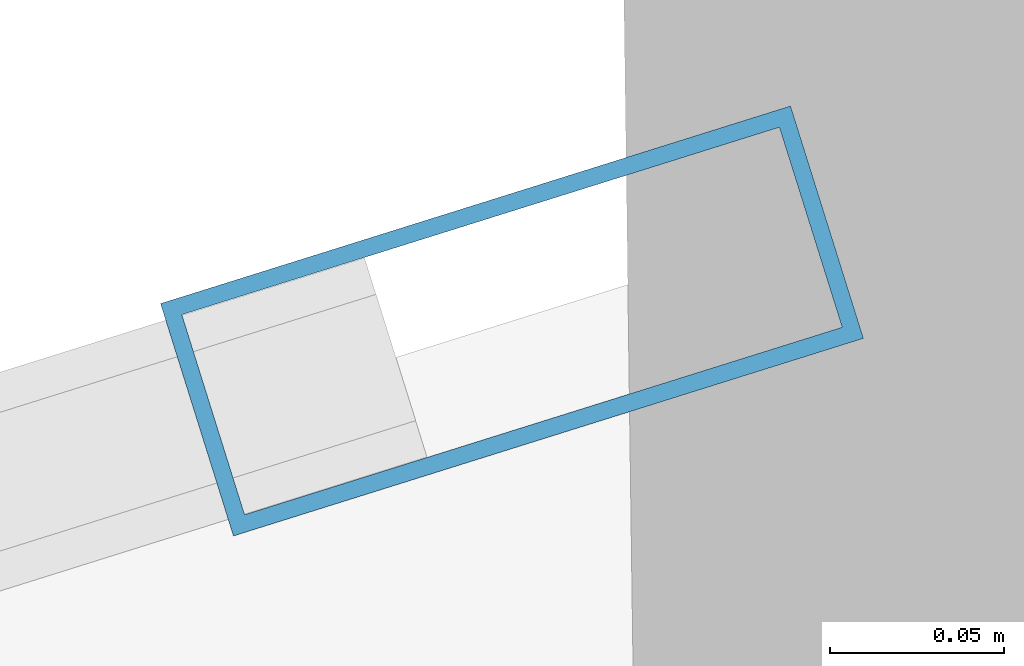
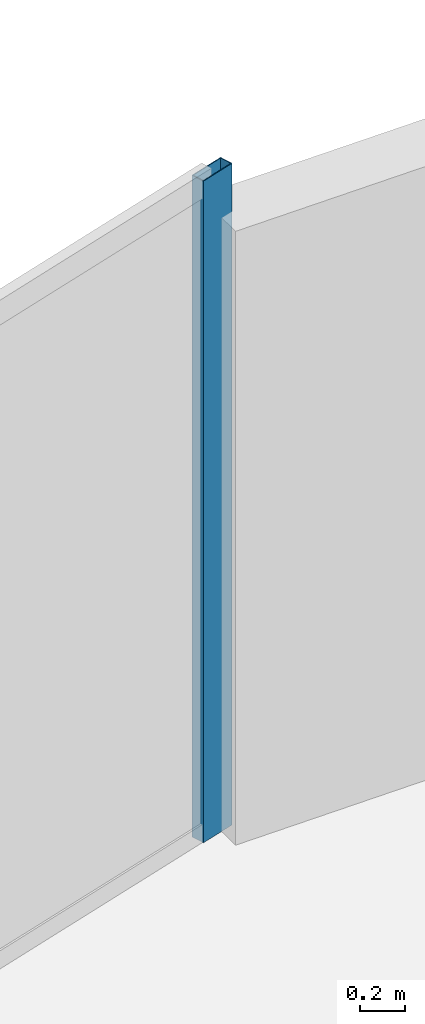
# One storey, part 13 of 22: 1 member, 1 element without a shape of its own.
"""IFC4 building model written with IfcOpenShell, lengths in metres."""

from ifc_helpers import new_model, si_unit, direction, frame, origin, origin_2d, place, context, subcontext, project, spatial, hollow_rectangle, extrude, source, transform, mapped, material, layer, layer_set, material_profile, profile_set, type_object, element, aggregate, save


model = new_model("IFC4")

# Units and contexts
model_context = context("Model", 3, precision=1e-05, world=origin(), true_north=direction((0.0, 1.0)))
body_context = subcontext(model_context, "Body", "Model", "MODEL_VIEW")
ifc_project = project(units=[si_unit("LENGTHUNIT", "METRE"), si_unit("AREAUNIT", "SQUARE_METRE"), si_unit("VOLUMEUNIT", "CUBIC_METRE"), si_unit("PLANEANGLEUNIT", "RADIAN"), si_unit("MASSUNIT", "GRAM", prefix="KILO")], contexts=[model_context])

# Site, building, storey
site_placement = place(None, origin())
site = spatial("IfcSite", under=ifc_project, at=site_placement, CompositionType="ELEMENT")
building_placement = place(site_placement, origin())
building = spatial("IfcBuilding", under=site, at=building_placement, Name="Solvirekh Grand Hotel", CompositionType="ELEMENT")
storey_placement = place(building_placement, frame((0.0, 0.0, 78.800048828125)))
storey = spatial("IfcBuildingStorey", under=building, at=storey_placement, Name="L19", CompositionType="ELEMENT", Elevation=78.800048828125)

# Curtain wall, member
ifc_material = material(Name="Anodized Bronze Aluminium 6063-T6", Category="aluminium")
ifc_layer = layer(ifc_material, 0.18994140625)
ifc_layer_set = layer_set([ifc_layer], Name="Anodized Bronze Aluminium 6063-T6")
curtain_wall_type = type_object("IfcCurtainWallType", Name="CW_Sys2_LowZoneFlushBronzeCW", PredefinedType="NOTDEFINED", material=ifc_layer_set)
curtain_wall_placement = place(storey_placement, origin())
curtain_wall = element("IfcCurtainWall", 1, at=curtain_wall_placement, inside=storey, type_object=curtain_wall_type, Name="L19 unitised bronze-glass curtain wall CW-L19-C08", PredefinedType="NOTDEFINED")
ifc_material_profile = material_profile(ifc_material, hollow_rectangle(XDim=0.070068359375, YDim=0.18994140625, WallThickness=0.0048828125, at=origin_2d()), Name="ALU RHS 190X70X5")
ifc_profile_set = profile_set([ifc_material_profile], Name="Anodized Bronze Aluminium 6063-T6")
member_type = type_object("IfcMemberType", Name="CWMullion_Sys2", PredefinedType="MULLION", material=ifc_profile_set)
shared_shape = source(origin(), body_context, "Body", "SweptSolid", [
    extrude(hollow_rectangle(XDim=0.070068359375, YDim=0.18994140625, WallThickness=0.0048828125, at=origin_2d()), origin(), (0.0, 0.0, 1.0), 3.599853515625),
])
member_placement = place(storey_placement, frame((-7.0244140625, 22.403564453125, 0.0), z_axis=(0.0, 0.0, 1.0), x_axis=(0.299279838596, -0.95416538305, 0.0)))
member = element("IfcMember", 2, at=member_placement, type_object=member_type, Name="U02 mullion 1", PredefinedType="MULLION", context=body_context, shape_type="MappedRepresentation", body=[
    mapped(shared_shape, transform((0.0, 0.0, 0.0), x_axis=(1.0, 0.0, 0.0), y_axis=(0.0, 1.0, 0.0), z_axis=(0.0, 0.0, 1.0), scale=1.0)),
])
aggregate(curtain_wall, [member])

save(model, "model.ifc")
